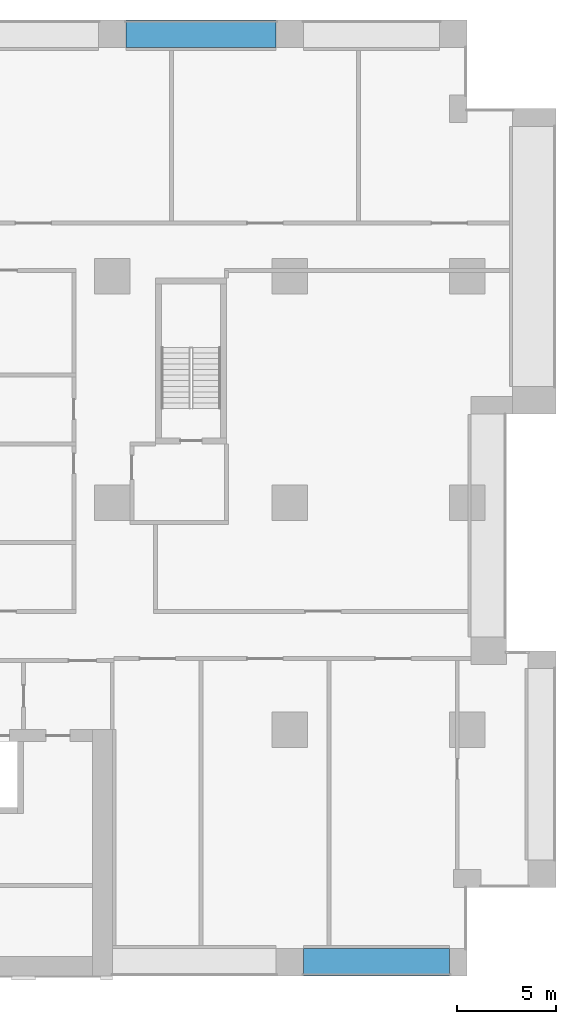
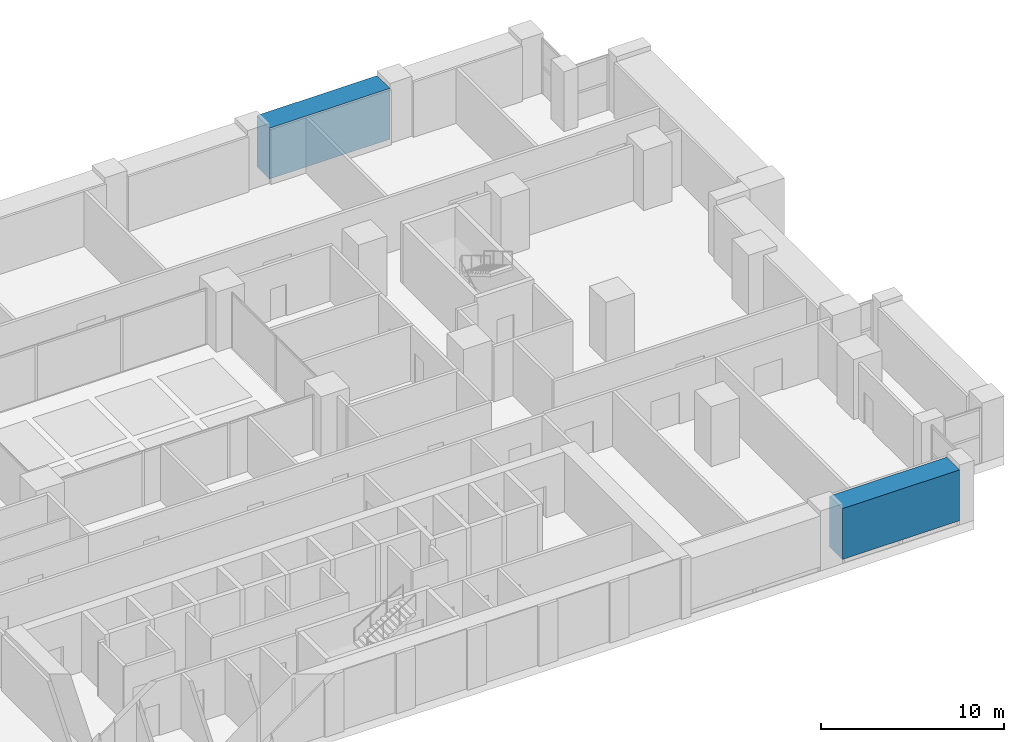
# One storey, part 9 of 24: 2 beams.
"""IFC4 building model written with IfcOpenShell, lengths in metres."""

from ifc_helpers import new_model, si_unit, direction, frame, origin, origin_2d, place, context, subcontext, project, spatial, rectangle, extrude, material, material_profile, profile_set, type_object, element, save


model = new_model("IFC4")

# Units and contexts
model_context = context("Model", 3, precision=1e-05, world=origin(), true_north=direction((0.0, 1.0)))
body_context = subcontext(model_context, "Body", "Model", "MODEL_VIEW")
ifc_project = project(units=[si_unit("LENGTHUNIT", "METRE"), si_unit("AREAUNIT", "SQUARE_METRE"), si_unit("VOLUMEUNIT", "CUBIC_METRE"), si_unit("PLANEANGLEUNIT", "RADIAN"), si_unit("MASSUNIT", "GRAM", prefix="KILO")], contexts=[model_context])

# Site, building, storey
site_placement = place(None, origin())
site = spatial("IfcSite", under=ifc_project, at=site_placement, CompositionType="ELEMENT")
building_placement = place(site_placement, origin())
building = spatial("IfcBuilding", under=site, at=building_placement, Name="Brigalow Station Residences", CompositionType="ELEMENT")
storey_placement = place(building_placement, frame((0.0, 0.0, 15.5)))
storey = spatial("IfcBuildingStorey", under=building, at=storey_placement, Name="L03", CompositionType="ELEMENT", Elevation=15.5)

# Beams
ifc_material = material(Name="Concrete C80", Category="concrete")
ifc_material_profile = material_profile(ifc_material, rectangle(XDim=1.39990234375, YDim=3.39990234375, at=origin_2d()), Name="RC1400x3400")
ifc_profile_set = profile_set([ifc_material_profile], Name="Concrete C80")
beam_type = type_object("IfcBeamType", Name="TRANSFER GIRDER 1400x3400 C80", PredefinedType="USERDEFINED", material=ifc_profile_set)
beam_1_placement = place(storey_placement, frame((63.699951171875, 0.699951171875, 1.97998046875), z_axis=(1.0, 0.0, 0.0), x_axis=(0.0, 1.0, 0.0)))
element("IfcBeam", 1, at=beam_1_placement, inside=storey, type_object=beam_type, Name="TRANSFER GIRDER S-15 L03", ObjectType="TRANSFER GIRDER", PredefinedType="USERDEFINED", context=body_context, shape_type="SweptSolid", body=[
    extrude(rectangle(XDim=1.39990234375, YDim=3.39990234375, at=origin_2d()), origin(), (0.0, 0.0, 1.0), 7.400146484375),
])
beam_2_placement = place(storey_placement, frame((62.300048828125, 47.800048828125, 1.97998046875), z_axis=(-1.0, 0.0, 0.0), x_axis=(0.0, -1.0, 0.0)))
element("IfcBeam", 2, at=beam_2_placement, inside=storey, type_object=beam_type, Name="TRANSFER GIRDER N-4 L03", ObjectType="TRANSFER GIRDER", PredefinedType="USERDEFINED", context=body_context, shape_type="SweptSolid", body=[
    extrude(rectangle(XDim=1.39990234375, YDim=3.39990234375, at=origin_2d()), origin(), (0.0, 0.0, 1.0), 7.60009765625),
])

save(model, "model.ifc")
